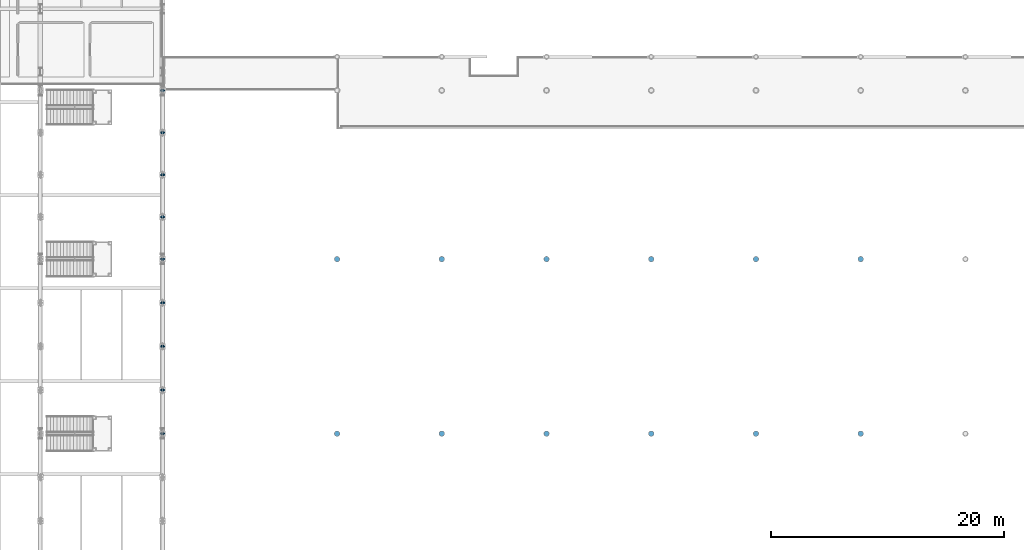
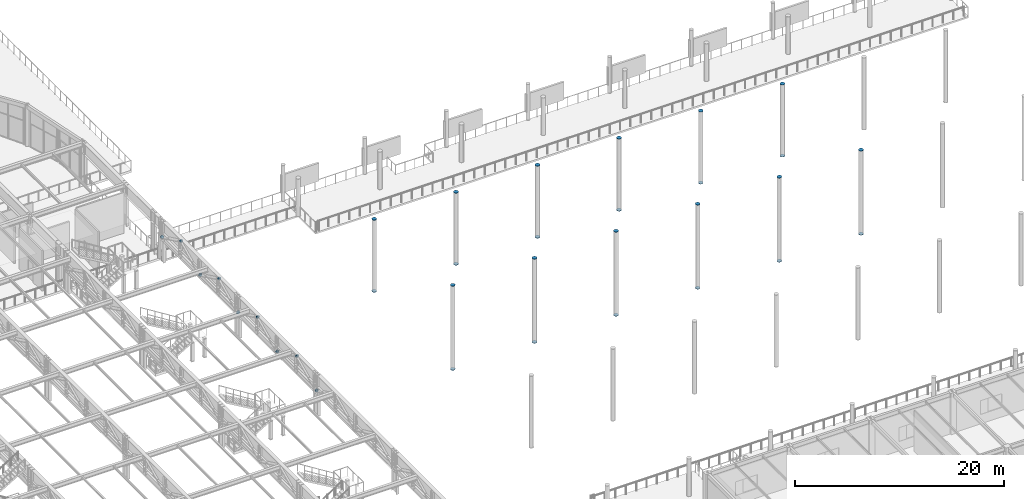
# One storey, part 111 of 143: 41 discrete accessories.
"""IFC4 building model written with IfcOpenShell, lengths in metres."""

from ifc_helpers import new_model, si_unit, direction, frame, origin, origin_2d, place, context, subcontext, project, spatial, circle, extrude, material, element, save


model = new_model("IFC4")

# Units and contexts
model_context = context("Model", 3, precision=1e-05, world=origin(), true_north=direction((0.0, 1.0)))
body_context = subcontext(model_context, "Body", "Model", "MODEL_VIEW")
ifc_project = project(units=[si_unit("LENGTHUNIT", "METRE"), si_unit("AREAUNIT", "SQUARE_METRE"), si_unit("VOLUMEUNIT", "CUBIC_METRE"), si_unit("PLANEANGLEUNIT", "RADIAN"), si_unit("MASSUNIT", "GRAM", prefix="KILO")], contexts=[model_context])

# Site, building, storey
site_placement = place(None, origin())
site = spatial("IfcSite", under=ifc_project, at=site_placement, CompositionType="ELEMENT")
building_placement = place(site_placement, origin())
building = spatial("IfcBuilding", under=site, at=building_placement, Name="Marlcrest Central Station", CompositionType="ELEMENT")
storey_placement = place(building_placement, frame((0.0, 0.0, 4.800048828125)))
storey = spatial("IfcBuildingStorey", under=building, at=storey_placement, Name="L01", CompositionType="ELEMENT", Elevation=4.800048828125)

# Discrete accessories
ifc_material = material(Name="Steel S355", Category="steel")
for number, where, z_axis, x_axis, name in (
    (1, (144.0, 66.0, -0.014892578125), (0.0, 0.0, 1.0), (1.0, 0.0, 0.0), "endcap-col-SC-11-L01-0517-s"),
    (2, (144.0, 66.0, 9.775146484375), (0.0, 0.0, 1.0), (1.0, 0.0, 0.0), "endcap-col-SC-11-L01-0517-e"),
    (3, (144.0, 81.0, -0.014892578125), (0.0, 0.0, 1.0), (1.0, 0.0, 0.0), "endcap-col-SC-11-L01-0519-s"),
    (4, (144.0, 81.0, 8.37890625), (0.0, 0.0, 1.0), (1.0, 0.0, 0.0), "endcap-col-SC-11-L01-0519-e"),
    (5, (153.0, 66.0, -0.014892578125), (0.0, 0.0, 1.0), (1.0, 0.0, 0.0), "endcap-col-SC-11-L01-0528-s"),
    (6, (153.0, 66.0, 9.775146484375), (0.0, 0.0, 1.0), (1.0, 0.0, 0.0), "endcap-col-SC-11-L01-0528-e"),
    (7, (153.0, 81.0, -0.014892578125), (0.0, 0.0, 1.0), (1.0, 0.0, 0.0), "endcap-col-SC-11-L01-0530-s"),
    (8, (153.0, 81.0, 8.37890625), (0.0, 0.0, 1.0), (1.0, 0.0, 0.0), "endcap-col-SC-11-L01-0530-e"),
    (9, (162.0, 66.0, -0.014892578125), (0.0, 0.0, 1.0), (1.0, 0.0, 0.0), "endcap-col-SC-11-L01-0539-s"),
    (10, (162.0, 66.0, 9.775146484375), (0.0, 0.0, 1.0), (1.0, 0.0, 0.0), "endcap-col-SC-11-L01-0539-e"),
    (11, (162.0, 81.0, -0.014892578125), (0.0, 0.0, 1.0), (1.0, 0.0, 0.0), "endcap-col-SC-11-L01-0541-s"),
    (12, (162.0, 81.0, 8.37890625), (0.0, 0.0, 1.0), (1.0, 0.0, 0.0), "endcap-col-SC-11-L01-0541-e"),
    (13, (171.0, 66.0, -0.014892578125), (0.0, 0.0, 1.0), (1.0, 0.0, 0.0), "endcap-col-SC-11-L01-0550-s"),
    (14, (171.0, 66.0, 9.775146484375), (0.0, 0.0, 1.0), (1.0, 0.0, 0.0), "endcap-col-SC-11-L01-0550-e"),
    (15, (171.0, 81.0, -0.014892578125), (0.0, 0.0, 1.0), (1.0, 0.0, 0.0), "endcap-col-SC-11-L01-0552-s"),
    (16, (171.0, 81.0, 8.37890625), (0.0, 0.0, 1.0), (1.0, 0.0, 0.0), "endcap-col-SC-11-L01-0552-e"),
    (17, (180.0, 66.0, -0.014892578125), (0.0, 0.0, 1.0), (1.0, 0.0, 0.0), "endcap-col-SC-11-L01-0561-s"),
    (18, (180.0, 66.0, 9.775146484375), (0.0, 0.0, 1.0), (1.0, 0.0, 0.0), "endcap-col-SC-11-L01-0561-e"),
    (19, (180.0, 81.0, -0.014892578125), (0.0, 0.0, 1.0), (1.0, 0.0, 0.0), "endcap-col-SC-11-L01-0563-s"),
    (20, (180.0, 81.0, 8.37890625), (0.0, 0.0, 1.0), (1.0, 0.0, 0.0), "endcap-col-SC-11-L01-0563-e"),
    (21, (189.0, 66.0, -0.014892578125), (0.0, 0.0, 1.0), (1.0, 0.0, 0.0), "endcap-col-SC-11-L01-0572-s"),
    (22, (189.0, 66.0, 9.775146484375), (0.0, 0.0, 1.0), (1.0, 0.0, 0.0), "endcap-col-SC-11-L01-0572-e"),
    (23, (189.0, 81.0, -0.014892578125), (0.0, 0.0, 1.0), (1.0, 0.0, 0.0), "endcap-col-SC-11-L01-0574-s"),
    (24, (189.0, 81.0, 8.37890625), (0.0, 0.0, 1.0), (1.0, 0.0, 0.0), "endcap-col-SC-11-L01-0574-e"),
):
    element("IfcDiscreteAccessory", number, at=place(storey_placement, frame(where, z_axis=z_axis, x_axis=x_axis)), inside=storey, material=ifc_material, Name=name, ObjectType="END_CAP_PLATE", PredefinedType="BRACKET", context=body_context, shape_type="SweptSolid", body=[
        extrude(circle(Radius=0.236572265625, at=origin_2d()), origin(), (0.0, 0.0, 1.0), 0.0400390625),
    ])
for number, where, z_axis, x_axis, name in (
    (25, (129.0, 65.977294921875, 2.75537109375), (0.0, 0.906183139995, -0.422885465331), (-1.0, 0.0, 0.0), "endcap-mem-TD-01-L01-02338-e"),
    (26, (129.0, 65.986328125, 2.738525390625), (0.0, 0.906183139995, 0.422885465331), (-1.0, 0.0, 0.0), "endcap-mem-TD-01-L01-02341-s"),
    (27, (129.0, 69.727294921875, 4.484375), (0.0, 0.906183139995, 0.422885465331), (-1.0, 0.0, 0.0), "endcap-mem-TD-01-L01-02341-e"),
    (28, (129.0, 69.736328125, 4.501220703125), (0.0, 0.906183139995, -0.422885465331), (-1.0, 0.0, 0.0), "endcap-mem-TD-01-L01-02344-s"),
    (29, (129.0, 73.477294921875, 2.75537109375), (0.0, 0.906183139995, -0.422885465331), (-1.0, 0.0, 0.0), "endcap-mem-TD-01-L01-02344-e"),
    (30, (129.0, 73.486328125, 2.738525390625), (0.0, 0.906183139995, 0.422885465331), (-1.0, 0.0, 0.0), "endcap-mem-TD-01-L01-02347-s"),
    (31, (129.0, 77.227294921875, 4.484375), (0.0, 0.906183139995, 0.422885465331), (-1.0, 0.0, 0.0), "endcap-mem-TD-01-L01-02347-e"),
    (32, (129.0, 77.236328125, 4.501220703125), (0.0, 0.906183139995, -0.422885465331), (-1.0, 0.0, 0.0), "endcap-mem-TD-01-L01-02350-s"),
    (33, (129.0, 80.977294921875, 2.75537109375), (0.0, 0.906183139995, -0.422885465331), (-1.0, 0.0, 0.0), "endcap-mem-TD-01-L01-02350-e"),
    (34, (129.0, 80.986572265625, 2.73828125), (0.0, 0.900551636365, 0.434749065831), (-1.0, 0.0, 0.0), "endcap-mem-TD-01-L01-02353-s"),
    (35, (129.0, 84.6025390625, 4.48388671875), (0.0, 0.900551636365, 0.434749065831), (-1.0, 0.0, 0.0), "endcap-mem-TD-01-L01-02353-e"),
    (36, (129.0, 84.611572265625, 4.50146484375), (0.0, 0.900551636365, -0.434749065831), (-1.0, 0.0, 0.0), "endcap-mem-TD-01-L01-02356-s"),
    (37, (129.0, 88.2275390625, 2.755859375), (0.0, 0.900551636365, -0.434749065831), (-1.0, 0.0, 0.0), "endcap-mem-TD-01-L01-02356-e"),
    (38, (129.0, 88.236572265625, 2.73828125), (0.0, 0.900551636365, 0.434749065831), (-1.0, 0.0, 0.0), "endcap-mem-TD-01-L01-02359-s"),
    (39, (129.0, 91.8525390625, 4.48388671875), (0.0, 0.900551636365, 0.434749065831), (-1.0, 0.0, 0.0), "endcap-mem-TD-01-L01-02359-e"),
    (40, (129.0, 91.861572265625, 4.50146484375), (0.0, 0.900551636365, -0.434749065831), (-1.0, 0.0, 0.0), "endcap-mem-TD-01-L01-02362-s"),
    (41, (129.0, 95.4775390625, 2.755859375), (0.0, 0.900551636365, -0.434749065831), (-1.0, 0.0, 0.0), "endcap-mem-TD-01-L01-02362-e"),
):
    element("IfcDiscreteAccessory", number, at=place(storey_placement, frame(where, z_axis=z_axis, x_axis=x_axis)), inside=storey, material=ifc_material, Name=name, ObjectType="END_CAP_PLATE", PredefinedType="BRACKET", context=body_context, shape_type="SweptSolid", body=[
        extrude(circle(Radius=0.169921875, at=origin_2d()), origin(), (0.0, 0.0, 1.0), 0.0400390625),
    ])

save(model, "model.ifc")
